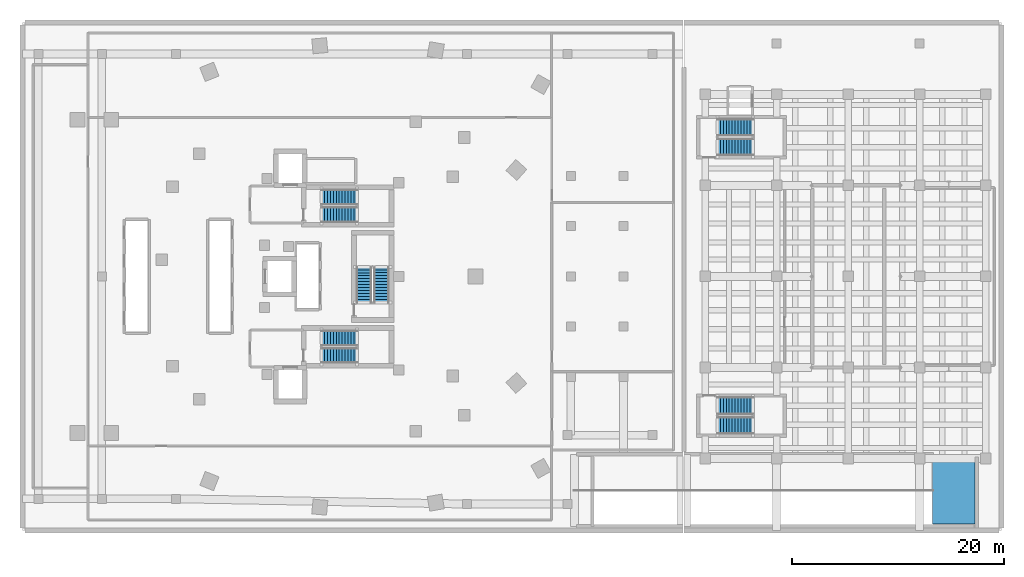
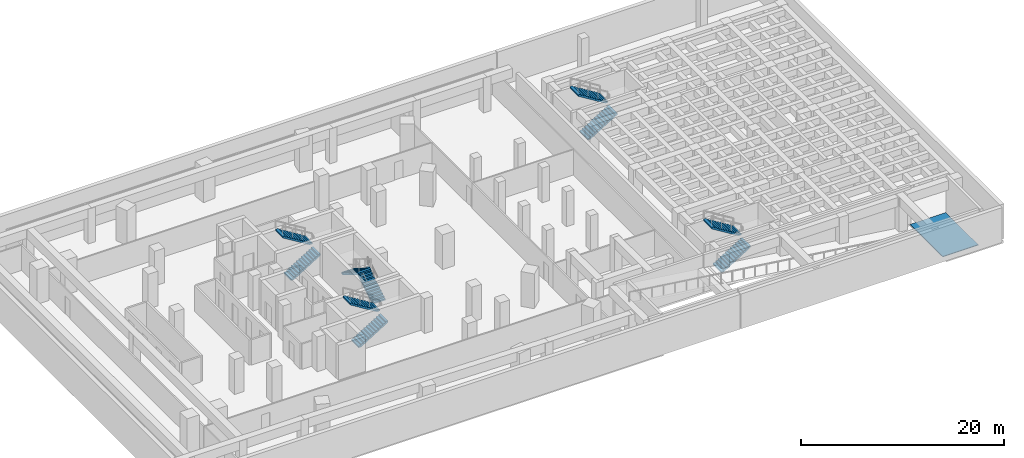
# One storey, part 10 of 13: 10 stair flights, 1 ramp, 5 elements without a shape of their own.
"""IFC4 building model written with IfcOpenShell, lengths in metres."""

from ifc_helpers import new_model, si_unit, direction, frame, origin, place, context, subcontext, project, spatial, polyline, outline, extrude, material, type_object, element, aggregate, save


model = new_model("IFC4")

# Units and contexts
model_context = context("Model", 3, precision=1e-05, world=origin(), true_north=direction((0.0, 1.0)))
body_context = subcontext(model_context, "Body", "Model", "MODEL_VIEW")
ifc_project = project(units=[si_unit("LENGTHUNIT", "METRE"), si_unit("AREAUNIT", "SQUARE_METRE"), si_unit("VOLUMEUNIT", "CUBIC_METRE"), si_unit("PLANEANGLEUNIT", "RADIAN"), si_unit("MASSUNIT", "GRAM", prefix="KILO")], contexts=[model_context])

# Site, building, storey
site_placement = place(None, origin())
site = spatial("IfcSite", under=ifc_project, at=site_placement, CompositionType="ELEMENT")
building_placement = place(site_placement, origin())
building = spatial("IfcBuilding", under=site, at=building_placement, Name="Korentha Bioscience Tower", CompositionType="ELEMENT")
storey_placement = place(building_placement, frame((0.0, 0.0, -4.5)))
storey = spatial("IfcBuildingStorey", under=building, at=storey_placement, Name="B1", CompositionType="ELEMENT", Elevation=-4.5)

# Stair, stair flights
ifc_material_1 = material(Name="Precast Concrete C50", Category="concrete")
stair_type_1 = type_object("IfcStairType", Name="Core Exit Dog-Leg Stair 1450", PredefinedType="HALF_TURN_STAIR", material=ifc_material_1)
stair_1_placement = place(storey_placement, origin())
stair_1 = element("IfcStair", 1, at=stair_1_placement, inside=storey, type_object=stair_type_1, Name="B1 Tower North Pressurized Exit Stair ST-1", PredefinedType="HALF_TURN_STAIR")
stair_flight_type_1 = type_object("IfcStairFlightType", Name="Core Exit Dog-Leg Stair 1450 Flight", PredefinedType="STRAIGHT", material=ifc_material_1)
stair_flight_1_placement = place(storey_placement, frame((30.25, 32.824951171875, 0.0), z_axis=(0.0, 0.0, 1.0), x_axis=(1.0, 0.0, 0.0)))
stair_flight_1 = element("IfcStairFlight", 2, at=stair_flight_1_placement, type_object=stair_flight_type_1, Name="ST-1 flight 1", NumberOfRisers=13, NumberOfTreads=12, PredefinedType="STRAIGHT", RiserHeight=0.173076923, TreadLength=0.28, context=body_context, shape_type="SweptSolid", body=[
    extrude(outline(polyline([(0.0, 0.0), (0.0, 0.173095703125), (0.280029296875, 0.173095703125), (0.280029296875, 0.34619140625), (0.56005859375, 0.34619140625), (0.56005859375, 0.519287109375), (0.840087890625, 0.519287109375), (0.840087890625, 0.6923828125), (1.1201171875, 0.6923828125), (1.1201171875, 0.865478515625), (1.39990234375, 0.865478515625), (1.39990234375, 1.03857421875), (1.679931640625, 1.03857421875), (1.679931640625, 1.21142578125), (1.9599609375, 1.21142578125), (1.9599609375, 1.384521484375), (2.239990234375, 1.384521484375), (2.239990234375, 1.5576171875), (2.52001953125, 1.5576171875), (2.52001953125, 1.730712890625), (2.800048828125, 1.730712890625), (2.800048828125, 1.90380859375), (3.080078125, 1.90380859375), (3.080078125, 2.076904296875), (3.360107421875, 2.076904296875), (3.360107421875, 2.25), (3.360107421875, 1.888916015625), (0.30419921875, 0.0), (0.0, 0.0)])), frame((0.0, 0.72509765625, 0.0), z_axis=(0.0, -1.0, 0.0), x_axis=(1.0, 0.0, 0.0)), (0.0, 0.0, 1.0), 1.449951171875),
])
stair_flight_2_placement = place(storey_placement, frame((33.610107421875, 34.47509765625, 2.25), z_axis=(0.0, 0.0, 1.0), x_axis=(-1.0, 0.0, 0.0)))
stair_flight_2 = element("IfcStairFlight", 3, at=stair_flight_2_placement, type_object=stair_flight_type_1, Name="ST-1 flight 2", NumberOfRisers=13, NumberOfTreads=12, PredefinedType="STRAIGHT", RiserHeight=0.173076923, TreadLength=0.28, context=body_context, shape_type="SweptSolid", body=[
    extrude(outline(polyline([(0.0, 0.0), (0.0, 0.173095703125), (0.280029296875, 0.173095703125), (0.280029296875, 0.34619140625), (0.56005859375, 0.34619140625), (0.56005859375, 0.519287109375), (0.840087890625, 0.519287109375), (0.840087890625, 0.6923828125), (1.1201171875, 0.6923828125), (1.1201171875, 0.865478515625), (1.39990234375, 0.865478515625), (1.39990234375, 1.03857421875), (1.679931640625, 1.03857421875), (1.679931640625, 1.21142578125), (1.9599609375, 1.21142578125), (1.9599609375, 1.384521484375), (2.239990234375, 1.384521484375), (2.239990234375, 1.5576171875), (2.52001953125, 1.5576171875), (2.52001953125, 1.730712890625), (2.800048828125, 1.730712890625), (2.800048828125, 1.90380859375), (3.080078125, 1.90380859375), (3.080078125, 2.076904296875), (3.360107421875, 2.076904296875), (3.360107421875, 2.25), (3.360107421875, 1.888916015625), (0.30419921875, 0.0), (0.0, 0.0)])), frame((0.0, 0.72509765625, 0.0), z_axis=(0.0, -1.0, 0.0), x_axis=(1.0, 0.0, 0.0)), (0.0, 0.0, 1.0), 1.449951171875),
])
aggregate(stair_1, [stair_flight_1, stair_flight_2])

stair_2_placement = place(storey_placement, origin())
stair_2 = element("IfcStair", 4, at=stair_2_placement, inside=storey, type_object=stair_type_1, Name="B1 Tower South Pressurized Exit Stair ST-2", PredefinedType="HALF_TURN_STAIR")
stair_flight_3_placement = place(storey_placement, frame((30.25, 19.52490234375, 0.0), z_axis=(0.0, 0.0, 1.0), x_axis=(1.0, 0.0, 0.0)))
stair_flight_3 = element("IfcStairFlight", 5, at=stair_flight_3_placement, type_object=stair_flight_type_1, Name="ST-2 flight 1", NumberOfRisers=13, NumberOfTreads=12, PredefinedType="STRAIGHT", RiserHeight=0.173076923, TreadLength=0.28, context=body_context, shape_type="SweptSolid", body=[
    extrude(outline(polyline([(0.0, 0.0), (0.0, 0.173095703125), (0.280029296875, 0.173095703125), (0.280029296875, 0.34619140625), (0.56005859375, 0.34619140625), (0.56005859375, 0.519287109375), (0.840087890625, 0.519287109375), (0.840087890625, 0.6923828125), (1.1201171875, 0.6923828125), (1.1201171875, 0.865478515625), (1.39990234375, 0.865478515625), (1.39990234375, 1.03857421875), (1.679931640625, 1.03857421875), (1.679931640625, 1.21142578125), (1.9599609375, 1.21142578125), (1.9599609375, 1.384521484375), (2.239990234375, 1.384521484375), (2.239990234375, 1.5576171875), (2.52001953125, 1.5576171875), (2.52001953125, 1.730712890625), (2.800048828125, 1.730712890625), (2.800048828125, 1.90380859375), (3.080078125, 1.90380859375), (3.080078125, 2.076904296875), (3.360107421875, 2.076904296875), (3.360107421875, 2.25), (3.360107421875, 1.888916015625), (0.30419921875, 0.0), (0.0, 0.0)])), frame((0.0, 0.72509765625, 0.0), z_axis=(0.0, -1.0, 0.0), x_axis=(1.0, 0.0, 0.0)), (0.0, 0.0, 1.0), 1.449951171875),
])
stair_flight_4_placement = place(storey_placement, frame((33.610107421875, 21.175048828125, 2.25), z_axis=(0.0, 0.0, 1.0), x_axis=(-1.0, 0.0, 0.0)))
stair_flight_4 = element("IfcStairFlight", 6, at=stair_flight_4_placement, type_object=stair_flight_type_1, Name="ST-2 flight 2", NumberOfRisers=13, NumberOfTreads=12, PredefinedType="STRAIGHT", RiserHeight=0.173076923, TreadLength=0.28, context=body_context, shape_type="SweptSolid", body=[
    extrude(outline(polyline([(0.0, 0.0), (0.0, 0.173095703125), (0.280029296875, 0.173095703125), (0.280029296875, 0.34619140625), (0.56005859375, 0.34619140625), (0.56005859375, 0.519287109375), (0.840087890625, 0.519287109375), (0.840087890625, 0.6923828125), (1.1201171875, 0.6923828125), (1.1201171875, 0.865478515625), (1.39990234375, 0.865478515625), (1.39990234375, 1.03857421875), (1.679931640625, 1.03857421875), (1.679931640625, 1.21142578125), (1.9599609375, 1.21142578125), (1.9599609375, 1.384521484375), (2.239990234375, 1.384521484375), (2.239990234375, 1.5576171875), (2.52001953125, 1.5576171875), (2.52001953125, 1.730712890625), (2.800048828125, 1.730712890625), (2.800048828125, 1.90380859375), (3.080078125, 1.90380859375), (3.080078125, 2.076904296875), (3.360107421875, 2.076904296875), (3.360107421875, 2.25), (3.360107421875, 1.888916015625), (0.30419921875, 0.0), (0.0, 0.0)])), frame((0.0, 0.72509765625, 0.0), z_axis=(0.0, -1.0, 0.0), x_axis=(1.0, 0.0, 0.0)), (0.0, 0.0, 1.0), 1.449951171875),
])
aggregate(stair_2, [stair_flight_3, stair_flight_4])

stair_3_placement = place(storey_placement, origin())
stair_3 = element("IfcStair", 7, at=stair_3_placement, inside=storey, type_object=stair_type_1, Name="B1 Tower Central Pressurized Exit Stair ST-3", PredefinedType="HALF_TURN_STAIR")
stair_flight_5_placement = place(storey_placement, frame((35.925048828125, 24.550048828125, 0.0), z_axis=(0.0, 0.0, 1.0), x_axis=(0.0, 1.0, 0.0)))
stair_flight_5 = element("IfcStairFlight", 8, at=stair_flight_5_placement, type_object=stair_flight_type_1, Name="ST-3 flight 1", NumberOfRisers=13, NumberOfTreads=12, PredefinedType="STRAIGHT", RiserHeight=0.173076923, TreadLength=0.28, context=body_context, shape_type="SweptSolid", body=[
    extrude(outline(polyline([(0.0, 0.0), (0.0, 0.173095703125), (0.280029296875, 0.173095703125), (0.280029296875, 0.34619140625), (0.56005859375, 0.34619140625), (0.56005859375, 0.519287109375), (0.840087890625, 0.519287109375), (0.840087890625, 0.6923828125), (1.1201171875, 0.6923828125), (1.1201171875, 0.865478515625), (1.39990234375, 0.865478515625), (1.39990234375, 1.03857421875), (1.679931640625, 1.03857421875), (1.679931640625, 1.21142578125), (1.9599609375, 1.21142578125), (1.9599609375, 1.384521484375), (2.239990234375, 1.384521484375), (2.239990234375, 1.5576171875), (2.52001953125, 1.5576171875), (2.52001953125, 1.730712890625), (2.800048828125, 1.730712890625), (2.800048828125, 1.90380859375), (3.080078125, 1.90380859375), (3.080078125, 2.076904296875), (3.360107421875, 2.076904296875), (3.360107421875, 2.25), (3.360107421875, 1.888916015625), (0.30419921875, 0.0), (0.0, 0.0)])), frame((0.0, 0.72509765625, 0.0), z_axis=(0.0, -1.0, 0.0), x_axis=(1.0, 0.0, 0.0)), (0.0, 0.0, 1.0), 1.449951171875),
])
stair_flight_6_placement = place(storey_placement, frame((34.27490234375, 27.909912109375, 2.25), z_axis=(0.0, 0.0, 1.0), x_axis=(0.0, -1.0, 0.0)))
stair_flight_6 = element("IfcStairFlight", 9, at=stair_flight_6_placement, type_object=stair_flight_type_1, Name="ST-3 flight 2", NumberOfRisers=13, NumberOfTreads=12, PredefinedType="STRAIGHT", RiserHeight=0.173076923, TreadLength=0.28, context=body_context, shape_type="SweptSolid", body=[
    extrude(outline(polyline([(0.0, 0.0), (0.0, 0.173095703125), (0.280029296875, 0.173095703125), (0.280029296875, 0.34619140625), (0.56005859375, 0.34619140625), (0.56005859375, 0.519287109375), (0.840087890625, 0.519287109375), (0.840087890625, 0.6923828125), (1.1201171875, 0.6923828125), (1.1201171875, 0.865478515625), (1.39990234375, 0.865478515625), (1.39990234375, 1.03857421875), (1.679931640625, 1.03857421875), (1.679931640625, 1.21142578125), (1.9599609375, 1.21142578125), (1.9599609375, 1.384521484375), (2.239990234375, 1.384521484375), (2.239990234375, 1.5576171875), (2.52001953125, 1.5576171875), (2.52001953125, 1.730712890625), (2.800048828125, 1.730712890625), (2.800048828125, 1.90380859375), (3.080078125, 1.90380859375), (3.080078125, 2.076904296875), (3.360107421875, 2.076904296875), (3.360107421875, 2.25), (3.360107421875, 1.888916015625), (0.30419921875, 0.0), (0.0, 0.0)])), frame((0.0, 0.72509765625, 0.0), z_axis=(0.0, -1.0, 0.0), x_axis=(1.0, 0.0, 0.0)), (0.0, 0.0, 1.0), 1.449951171875),
])
aggregate(stair_3, [stair_flight_5, stair_flight_6])

stair_type_2 = type_object("IfcStairType", Name="Theatre Public Dog-Leg Stair 1650", PredefinedType="HALF_TURN_STAIR", material=ifc_material_1)
stair_4_placement = place(storey_placement, origin())
stair_4 = element("IfcStair", 10, at=stair_4_placement, inside=storey, type_object=stair_type_2, Name="B1 Civic Theatre South Exit Stair ST-T1", PredefinedType="HALF_TURN_STAIR")
stair_flight_type_2 = type_object("IfcStairFlightType", Name="Theatre Public Dog-Leg Stair 1650 Flight", PredefinedType="STRAIGHT", material=ifc_material_1)
stair_flight_7_placement = place(storey_placement, frame((67.64990234375, 12.925048828125, 0.0), z_axis=(0.0, 0.0, 1.0), x_axis=(1.0, 0.0, 0.0)))
stair_flight_7 = element("IfcStairFlight", 11, at=stair_flight_7_placement, type_object=stair_flight_type_2, Name="ST-T1 flight 1", NumberOfRisers=13, NumberOfTreads=12, PredefinedType="STRAIGHT", RiserHeight=0.173076923, TreadLength=0.28, context=body_context, shape_type="SweptSolid", body=[
    extrude(outline(polyline([(0.0, 0.0), (0.0, 0.173095703125), (0.280029296875, 0.173095703125), (0.280029296875, 0.34619140625), (0.56005859375, 0.34619140625), (0.56005859375, 0.519287109375), (0.840087890625, 0.519287109375), (0.840087890625, 0.6923828125), (1.1201171875, 0.6923828125), (1.1201171875, 0.865478515625), (1.39990234375, 0.865478515625), (1.39990234375, 1.03857421875), (1.679931640625, 1.03857421875), (1.679931640625, 1.21142578125), (1.9599609375, 1.21142578125), (1.9599609375, 1.384521484375), (2.239990234375, 1.384521484375), (2.239990234375, 1.5576171875), (2.52001953125, 1.5576171875), (2.52001953125, 1.730712890625), (2.800048828125, 1.730712890625), (2.800048828125, 1.90380859375), (3.080078125, 1.90380859375), (3.080078125, 2.076904296875), (3.360107421875, 2.076904296875), (3.360107421875, 2.25), (3.360107421875, 1.888916015625), (0.30419921875, 0.0), (0.0, 0.0)])), frame((0.0, 0.824951171875, 0.0), z_axis=(0.0, -1.0, 0.0), x_axis=(1.0, 0.0, 0.0)), (0.0, 0.0, 1.0), 1.64990234375),
])
stair_flight_8_placement = place(storey_placement, frame((71.010009765625, 14.77490234375, 2.25), z_axis=(0.0, 0.0, 1.0), x_axis=(-1.0, 0.0, 0.0)))
stair_flight_8 = element("IfcStairFlight", 12, at=stair_flight_8_placement, type_object=stair_flight_type_2, Name="ST-T1 flight 2", NumberOfRisers=13, NumberOfTreads=12, PredefinedType="STRAIGHT", RiserHeight=0.173076923, TreadLength=0.28, context=body_context, shape_type="SweptSolid", body=[
    extrude(outline(polyline([(0.0, 0.0), (0.0, 0.173095703125), (0.280029296875, 0.173095703125), (0.280029296875, 0.34619140625), (0.56005859375, 0.34619140625), (0.56005859375, 0.519287109375), (0.840087890625, 0.519287109375), (0.840087890625, 0.6923828125), (1.1201171875, 0.6923828125), (1.1201171875, 0.865478515625), (1.39990234375, 0.865478515625), (1.39990234375, 1.03857421875), (1.679931640625, 1.03857421875), (1.679931640625, 1.21142578125), (1.9599609375, 1.21142578125), (1.9599609375, 1.384521484375), (2.239990234375, 1.384521484375), (2.239990234375, 1.5576171875), (2.52001953125, 1.5576171875), (2.52001953125, 1.730712890625), (2.800048828125, 1.730712890625), (2.800048828125, 1.90380859375), (3.080078125, 1.90380859375), (3.080078125, 2.076904296875), (3.360107421875, 2.076904296875), (3.360107421875, 2.25), (3.360107421875, 1.888916015625), (0.30419921875, 0.0), (0.0, 0.0)])), frame((0.0, 0.824951171875, 0.0), z_axis=(0.0, -1.0, 0.0), x_axis=(1.0, 0.0, 0.0)), (0.0, 0.0, 1.0), 1.64990234375),
])
aggregate(stair_4, [stair_flight_7, stair_flight_8])

stair_5_placement = place(storey_placement, origin())
stair_5 = element("IfcStair", 13, at=stair_5_placement, inside=storey, type_object=stair_type_2, Name="B1 Civic Theatre North Exit Stair ST-T2", PredefinedType="HALF_TURN_STAIR")
stair_flight_9_placement = place(storey_placement, frame((67.64990234375, 39.22509765625, 0.0), z_axis=(0.0, 0.0, 1.0), x_axis=(1.0, 0.0, 0.0)))
stair_flight_9 = element("IfcStairFlight", 14, at=stair_flight_9_placement, type_object=stair_flight_type_2, Name="ST-T2 flight 1", NumberOfRisers=13, NumberOfTreads=12, PredefinedType="STRAIGHT", RiserHeight=0.173076923, TreadLength=0.28, context=body_context, shape_type="SweptSolid", body=[
    extrude(outline(polyline([(0.0, 0.0), (0.0, 0.173095703125), (0.280029296875, 0.173095703125), (0.280029296875, 0.34619140625), (0.56005859375, 0.34619140625), (0.56005859375, 0.519287109375), (0.840087890625, 0.519287109375), (0.840087890625, 0.6923828125), (1.1201171875, 0.6923828125), (1.1201171875, 0.865478515625), (1.39990234375, 0.865478515625), (1.39990234375, 1.03857421875), (1.679931640625, 1.03857421875), (1.679931640625, 1.21142578125), (1.9599609375, 1.21142578125), (1.9599609375, 1.384521484375), (2.239990234375, 1.384521484375), (2.239990234375, 1.5576171875), (2.52001953125, 1.5576171875), (2.52001953125, 1.730712890625), (2.800048828125, 1.730712890625), (2.800048828125, 1.90380859375), (3.080078125, 1.90380859375), (3.080078125, 2.076904296875), (3.360107421875, 2.076904296875), (3.360107421875, 2.25), (3.360107421875, 1.888916015625), (0.30419921875, 0.0), (0.0, 0.0)])), frame((0.0, 0.824951171875, 0.0), z_axis=(0.0, -1.0, 0.0), x_axis=(1.0, 0.0, 0.0)), (0.0, 0.0, 1.0), 1.64990234375),
])
stair_flight_10_placement = place(storey_placement, frame((71.010009765625, 41.074951171875, 2.25), z_axis=(0.0, 0.0, 1.0), x_axis=(-1.0, 0.0, 0.0)))
stair_flight_10 = element("IfcStairFlight", 15, at=stair_flight_10_placement, type_object=stair_flight_type_2, Name="ST-T2 flight 2", NumberOfRisers=13, NumberOfTreads=12, PredefinedType="STRAIGHT", RiserHeight=0.173076923, TreadLength=0.28, context=body_context, shape_type="SweptSolid", body=[
    extrude(outline(polyline([(0.0, 0.0), (0.0, 0.173095703125), (0.280029296875, 0.173095703125), (0.280029296875, 0.34619140625), (0.56005859375, 0.34619140625), (0.56005859375, 0.519287109375), (0.840087890625, 0.519287109375), (0.840087890625, 0.6923828125), (1.1201171875, 0.6923828125), (1.1201171875, 0.865478515625), (1.39990234375, 0.865478515625), (1.39990234375, 1.03857421875), (1.679931640625, 1.03857421875), (1.679931640625, 1.21142578125), (1.9599609375, 1.21142578125), (1.9599609375, 1.384521484375), (2.239990234375, 1.384521484375), (2.239990234375, 1.5576171875), (2.52001953125, 1.5576171875), (2.52001953125, 1.730712890625), (2.800048828125, 1.730712890625), (2.800048828125, 1.90380859375), (3.080078125, 1.90380859375), (3.080078125, 2.076904296875), (3.360107421875, 2.076904296875), (3.360107421875, 2.25), (3.360107421875, 1.888916015625), (0.30419921875, 0.0), (0.0, 0.0)])), frame((0.0, 0.824951171875, 0.0), z_axis=(0.0, -1.0, 0.0), x_axis=(1.0, 0.0, 0.0)), (0.0, 0.0, 1.0), 1.64990234375),
])
aggregate(stair_5, [stair_flight_9, stair_flight_10])

# Ramp
ifc_material_2 = material(Name="Concrete C50", Category="concrete")
ramp_type = type_object("IfcRampType", Name="Two-Way Basement Vehicle Ramp R1", PredefinedType="STRAIGHT_RUN_RAMP", material=ifc_material_2)
ramp_placement = place(storey_placement, frame((0.0, 0.0, -0.080078125)))
element("IfcRamp", 16, at=ramp_placement, inside=storey, type_object=ramp_type, Name="Car Park Vehicle Ramp R1 Upper", PredefinedType="STRAIGHT_RUN_RAMP", context=body_context, shape_type="SweptSolid", body=[
    extrude(outline(polyline([(87.949951171875, 3.60009765625), (92.0, 3.60009765625), (92.0, 10.0), (87.949951171875, 10.0), (87.949951171875, 3.60009765625)])), origin(), (0.0, 0.0, 1.0), 0.080078125),
])

save(model, "model.ifc")
